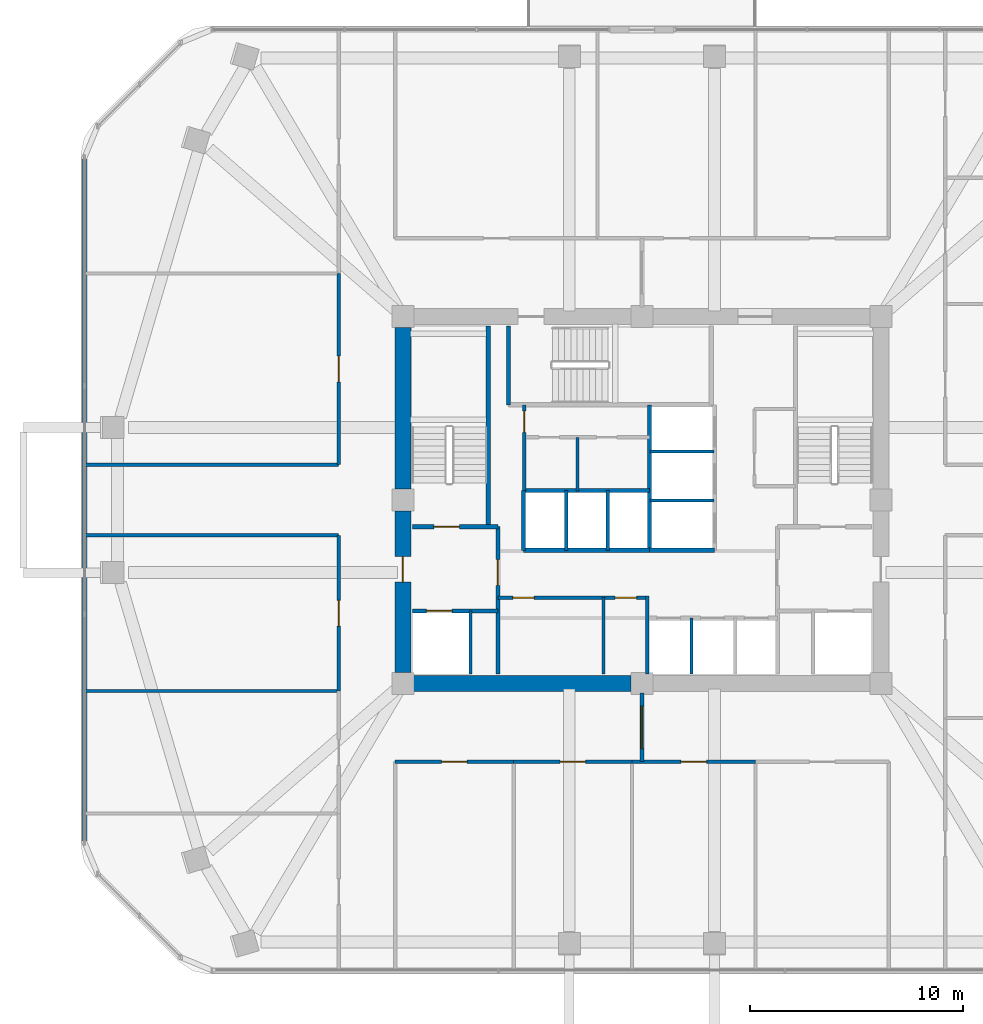
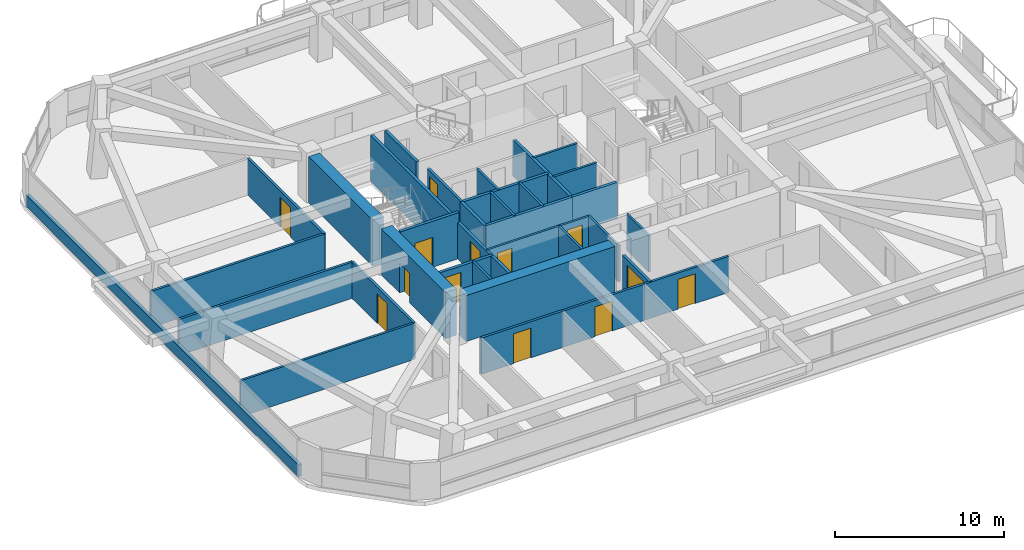
# One storey, part 9 of 14: 34 walls, 13 doors, 13 openings.
"""IFC4 building model written with IfcOpenShell, lengths in metres."""

from ifc_helpers import new_model, si_unit, derived_unit, direction, frame, frame_2d, origin, place, context, subcontext, project, spatial, rectangle, extrude, material, layer, layer_set, type_object, element, fill, save


model = new_model("IFC4")

# Units and contexts
model_context = context("Model", 3, precision=1e-05, world=origin(), true_north=direction((0.0, 1.0)))
body_context = subcontext(model_context, "Body", "Model", "MODEL_VIEW")
ifc_project = project(units=[si_unit("LENGTHUNIT", "METRE"), si_unit("AREAUNIT", "SQUARE_METRE"), si_unit("VOLUMEUNIT", "CUBIC_METRE"), si_unit("PLANEANGLEUNIT", "RADIAN"), si_unit("MASSUNIT", "GRAM", prefix="KILO"), derived_unit("THERMALTRANSMITTANCEUNIT", [(si_unit("POWERUNIT", "WATT"), 1), (si_unit("LENGTHUNIT", "METRE"), -2), (si_unit("THERMODYNAMICTEMPERATUREUNIT", "KELVIN"), -1)])], contexts=[model_context])

# Site, building, storey
site_placement = place(None, origin())
site = spatial("IfcSite", under=ifc_project, at=site_placement, CompositionType="ELEMENT")
building_placement = place(site_placement, origin())
building = spatial("IfcBuilding", under=site, at=building_placement, Name="Koralith Skygarden Medical Center", CompositionType="ELEMENT")
storey_placement = place(building_placement, frame((0.0, 0.0, 95.580078125)))
storey = spatial("IfcBuildingStorey", under=building, at=storey_placement, Name="L24", CompositionType="ELEMENT", Elevation=95.580078125)

# Wall, openings, doors
ifc_material_1 = material(Name="Gypsum Board Partition")
ifc_layer_1 = layer(ifc_material_1, 0.14990234375)
ifc_layer_set_1 = layer_set([ifc_layer_1], Name="Gypsum Board Partition")
wall_type_1 = type_object("IfcWallType", Name="Clinical Acoustic Partition 150", PredefinedType="PARTITIONING", material=ifc_layer_set_1)
wall_1_placement = place(storey_placement, frame((30.25, 21.320068359375, 0.0), z_axis=(0.0, 0.0, 1.0), x_axis=(1.0, 0.0, 0.0)))
wall_1 = element("IfcWall", 1, at=wall_1_placement, inside=storey, type_object=wall_type_1, Name="L24 Clinical Acoustic Partition 150 W-CORE-L24-FREED-LR-N", PredefinedType="PARTITIONING", context=body_context, shape_type="SweptSolid", body=[
    extrude(rectangle(XDim=7.0, YDim=0.14990234375, at=frame_2d((3.5, 0.0))), origin(), (0.0, 0.0, 1.0), 2.60986328125),
])
opening_1_placement = place(wall_1_placement, frame((0.699951171875, 0.0, 0.0)))
opening_1 = element("IfcOpeningElement", 2, at=opening_1_placement, cuts=wall_1, Name="Opening D-SUP", PredefinedType="OPENING", context=body_context, shape_type="SweptSolid", body=[
    extrude(rectangle(XDim=1.0, YDim=2.14990234375, at=frame_2d((0.5, 1.074951171875))), frame((0.0, 0.0849609375, 0.0), z_axis=(0.0, -1.0, 0.0), x_axis=(1.0, 0.0, 0.0)), (0.0, 0.0, 1.0), 0.169921875),
])
opening_2_placement = place(wall_1_placement, frame((5.5, 0.0, 0.0)))
opening_2 = element("IfcOpeningElement", 3, at=opening_2_placement, cuts=wall_1, Name="Opening D-SUP", PredefinedType="OPENING", context=body_context, shape_type="SweptSolid", body=[
    extrude(rectangle(XDim=1.0, YDim=2.14990234375, at=frame_2d((0.5, 1.074951171875))), frame((0.0, 0.0849609375, 0.0), z_axis=(0.0, -1.0, 0.0), x_axis=(1.0, 0.0, 0.0)), (0.0, 0.0, 1.0), 0.169921875),
])
ifc_material_2 = material(Name="Aluminium 6063-T6", Category="aluminium")
door_type_1 = type_object("IfcDoorType", Name="Clinical Support Door D-SUP 1000", OperationType="NOTDEFINED", PredefinedType="DOOR", material=ifc_material_2)
door_1_placement = place(opening_1_placement, frame((1.0, 0.0, 0.0), z_axis=(0.0, 0.0, 1.0), x_axis=(-1.0, 0.0, 0.0)))
door_1 = element("IfcDoor", 4, at=door_1_placement, inside=storey, type_object=door_type_1, Name="L24 Medication Preparation Door", OperationType="SINGLE_SWING_LEFT", OverallHeight=2.14990234375, OverallWidth=1.0, PredefinedType="DOOR", context=body_context, shape_type="SweptSolid", body=[
    extrude(rectangle(XDim=1.0, YDim=2.14990234375, at=frame_2d((0.5, 1.074951171875))), frame((0.0, 0.02490234375, 0.0), z_axis=(0.0, -1.0, 0.0), x_axis=(1.0, 0.0, 0.0)), (0.0, 0.0, 1.0), 0.050048828125),
])
fill(opening_1, door_1)
door_2_placement = place(opening_2_placement, frame((1.0, 0.0, 0.0), z_axis=(0.0, 0.0, 1.0), x_axis=(-1.0, 0.0, 0.0)))
door_2 = element("IfcDoor", 5, at=door_2_placement, inside=storey, type_object=door_type_1, Name="L24 Telemetry Room Door", OperationType="SINGLE_SWING_RIGHT", OverallHeight=2.14990234375, OverallWidth=1.0, PredefinedType="DOOR", context=body_context, shape_type="SweptSolid", body=[
    extrude(rectangle(XDim=1.0, YDim=2.14990234375, at=frame_2d((0.5, 1.074951171875))), frame((0.0, 0.02490234375, 0.0), z_axis=(0.0, -1.0, 0.0), x_axis=(1.0, 0.0, 0.0)), (0.0, 0.0, 1.0), 0.050048828125),
])
fill(opening_2, door_2)

# Walls
wall_2_placement = place(storey_placement, frame((35.199951171875, 17.75, 0.0), z_axis=(0.0, 0.0, 1.0), x_axis=(0.0, 1.0, 0.0)))
element("IfcWall", 6, at=wall_2_placement, inside=storey, type_object=wall_type_1, Name="L24 Clinical Acoustic Partition 150 W-CORE-L24-FREED-LR-M", PredefinedType="PARTITIONING", context=body_context, shape_type="SweptSolid", body=[
    extrude(rectangle(XDim=3.570068359375, YDim=0.14990234375, at=frame_2d((1.78515625, 0.0))), origin(), (0.0, 0.0, 1.0), 2.60986328125),
])
wall_3_placement = place(storey_placement, frame((33.97998046875, 26.320068359375, 0.0), z_axis=(0.0, 0.0, 1.0), x_axis=(0.0, 1.0, 0.0)))
element("IfcWall", 7, at=wall_3_placement, inside=storey, type_object=wall_type_1, Name="L24 Clinical Acoustic Partition 150 W-CORE-L24-FLEX-V3A", PredefinedType="PARTITIONING", context=body_context, shape_type="SweptSolid", body=[
    extrude(rectangle(XDim=2.52001953125, YDim=0.14990234375, at=frame_2d((1.260009765625, 0.0))), origin(), (0.0, 0.0, 1.0), 2.60986328125),
])
wall_4_placement = place(storey_placement, frame((22.7900390625, 16.94189453125, 0.0), z_axis=(0.0, 0.0, 1.0), x_axis=(-1.0, 0.0, 0.0)))
element("IfcWall", 8, at=wall_4_placement, inside=storey, type_object=wall_type_1, Name="L24 Clinical Acoustic Partition 150 W-PART-L24-WS-02", PredefinedType="PARTITIONING", context=body_context, shape_type="SweptSolid", body=[
    extrude(rectangle(XDim=11.885986328125, YDim=0.14990234375, at=frame_2d((5.94287109375, 0.0))), origin(), (0.0, 0.0, 1.0), 2.60986328125),
])
ifc_layer_2 = layer(ifc_material_1, 0.1650390625)
ifc_layer_set_2 = layer_set([ifc_layer_2], Name="Gypsum Board Partition")
wall_type_2 = type_object("IfcWallType", Name="Clinical Corridor Partition 165", PredefinedType="PARTITIONING", material=ifc_layer_set_2)
for number, where, z_axis, x_axis, name in (
    (9, (10.904052734375, 24.239990234375, 0.0), (0.0, 0.0, 1.0), (1.0, 0.0, 0.0), "L24 Clinical Corridor Partition 165 W-HCOR-L24-EWS-W"),
    (10, (10.904052734375, 27.56005859375, 0.0), (0.0, 0.0, 1.0), (1.0, 0.0, 0.0), "L24 Clinical Corridor Partition 165 W-HCOR-L24-EWN-W"),
):
    element("IfcWall", number, at=place(storey_placement, frame(where, z_axis=z_axis, x_axis=x_axis)), inside=storey, type_object=wall_type_2, Name=name, PredefinedType="PARTITIONING", context=body_context, shape_type="SweptSolid", body=[
        extrude(rectangle(XDim=11.885986328125, YDim=0.1650390625, at=frame_2d((5.94287109375, 0.0))), origin(), (0.0, 0.0, 1.0), 2.60986328125),
    ])

# Wall, opening, door
wall_5_placement = place(storey_placement, frame((25.429931640625, 13.639892578125, 0.0), z_axis=(0.0, 0.0, 1.0), x_axis=(1.0, 0.0, 0.0)))
wall_5 = element("IfcWall", 11, at=wall_5_placement, inside=storey, type_object=wall_type_2, Name="L24 Clinical Corridor Partition 165 W-CORR-L24-S-01", PredefinedType="PARTITIONING", context=body_context, shape_type="SweptSolid", body=[
    extrude(rectangle(XDim=5.55908203125, YDim=0.1650390625, at=frame_2d((2.779541015625, 0.0))), origin(), (0.0, 0.0, 1.0), 2.60986328125),
])
opening_3_placement = place(wall_5_placement, frame((2.179931640625, 0.0, 0.0)))
opening_3 = element("IfcOpeningElement", 12, at=opening_3_placement, cuts=wall_5, Name="Opening D-CLN", PredefinedType="OPENING", context=body_context, shape_type="SweptSolid", body=[
    extrude(rectangle(XDim=1.199951171875, YDim=2.14990234375, at=frame_2d((0.60009765625, 1.074951171875))), frame((0.0, 0.092529296875, 0.0), z_axis=(0.0, -1.0, 0.0), x_axis=(1.0, 0.0, 0.0)), (0.0, 0.0, 1.0), 0.18505859375),
])
door_type_2 = type_object("IfcDoorType", Name="Clinical Corridor Door D-CLN 1200", OperationType="NOTDEFINED", PredefinedType="DOOR", material=ifc_material_2)
door_3_placement = place(opening_3_placement, frame((1.199951171875, 0.0, 0.0), z_axis=(0.0, 0.0, 1.0), x_axis=(-1.0, 0.0, 0.0)))
door_3 = element("IfcDoor", 13, at=door_3_placement, inside=storey, type_object=door_type_2, Name="L24 Cast and Dressing Treatment Room 04 Door", OperationType="SINGLE_SWING_LEFT", OverallHeight=2.14990234375, OverallWidth=1.199951171875, PredefinedType="DOOR", context=body_context, shape_type="SweptSolid", body=[
    extrude(rectangle(XDim=1.199951171875, YDim=2.14990234375, at=frame_2d((0.60009765625, 1.074951171875))), frame((0.0, 0.02490234375, 0.0), z_axis=(0.0, -1.0, 0.0), x_axis=(1.0, 0.0, 0.0)), (0.0, 0.0, 1.0), 0.050048828125),
])
fill(opening_3, door_3)

wall_6_placement = place(storey_placement, frame((30.989013671875, 13.639892578125, 0.0), z_axis=(0.0, 0.0, 1.0), x_axis=(1.0, 0.0, 0.0)))
wall_6 = element("IfcWall", 14, at=wall_6_placement, inside=storey, type_object=wall_type_2, Name="L24 Clinical Corridor Partition 165 W-CORR-L24-S-02", PredefinedType="PARTITIONING", context=body_context, shape_type="SweptSolid", body=[
    extrude(rectangle(XDim=5.549072265625, YDim=0.1650390625, at=frame_2d((2.7744140625, 0.0))), origin(), (0.0, 0.0, 1.0), 2.60986328125),
])
opening_4_placement = place(wall_6_placement, frame((2.174072265625, 0.0, 0.0)))
opening_4 = element("IfcOpeningElement", 15, at=opening_4_placement, cuts=wall_6, Name="Opening D-CLN", PredefinedType="OPENING", context=body_context, shape_type="SweptSolid", body=[
    extrude(rectangle(XDim=1.199951171875, YDim=2.14990234375, at=frame_2d((0.60009765625, 1.074951171875))), frame((0.0, 0.092529296875, 0.0), z_axis=(0.0, -1.0, 0.0), x_axis=(1.0, 0.0, 0.0)), (0.0, 0.0, 1.0), 0.18505859375),
])
door_4_placement = place(opening_4_placement, frame((1.199951171875, 0.0, 0.0), z_axis=(0.0, 0.0, 1.0), x_axis=(-1.0, 0.0, 0.0)))
door_4 = element("IfcDoor", 16, at=door_4_placement, inside=storey, type_object=door_type_2, Name="L24 Surgical Follow-Up Office 05 Door", OperationType="SINGLE_SWING_RIGHT", OverallHeight=2.14990234375, OverallWidth=1.199951171875, PredefinedType="DOOR", context=body_context, shape_type="SweptSolid", body=[
    extrude(rectangle(XDim=1.199951171875, YDim=2.14990234375, at=frame_2d((0.60009765625, 1.074951171875))), frame((0.0, 0.02490234375, 0.0), z_axis=(0.0, -1.0, 0.0), x_axis=(1.0, 0.0, 0.0)), (0.0, 0.0, 1.0), 0.050048828125),
])
fill(opening_4, door_4)

wall_7_placement = place(storey_placement, frame((36.5380859375, 13.639892578125, 0.0), z_axis=(0.0, 0.0, 1.0), x_axis=(1.0, 0.0, 0.0)))
wall_7 = element("IfcWall", 17, at=wall_7_placement, inside=storey, type_object=wall_type_2, Name="L24 Clinical Corridor Partition 165 W-CORR-L24-S-03", PredefinedType="PARTITIONING", context=body_context, shape_type="SweptSolid", body=[
    extrude(rectangle(XDim=5.780029296875, YDim=0.1650390625, at=frame_2d((2.89013671875, 0.0))), origin(), (0.0, 0.0, 1.0), 2.60986328125),
])
opening_5_placement = place(wall_7_placement, frame((2.2900390625, 0.0, 0.0)))
opening_5 = element("IfcOpeningElement", 18, at=opening_5_placement, cuts=wall_7, Name="Opening D-CLN", PredefinedType="OPENING", context=body_context, shape_type="SweptSolid", body=[
    extrude(rectangle(XDim=1.199951171875, YDim=2.14990234375, at=frame_2d((0.60009765625, 1.074951171875))), frame((0.0, 0.092529296875, 0.0), z_axis=(0.0, -1.0, 0.0), x_axis=(1.0, 0.0, 0.0)), (0.0, 0.0, 1.0), 0.18505859375),
])
door_5_placement = place(opening_5_placement, frame((1.199951171875, 0.0, 0.0), z_axis=(0.0, 0.0, 1.0), x_axis=(-1.0, 0.0, 0.0)))
door_5 = element("IfcDoor", 19, at=door_5_placement, inside=storey, type_object=door_type_2, Name="L24 Sterile Instrument Sub-Store 06 Door", OperationType="SINGLE_SWING_LEFT", OverallHeight=2.14990234375, OverallWidth=1.199951171875, PredefinedType="DOOR", context=body_context, shape_type="SweptSolid", body=[
    extrude(rectangle(XDim=1.199951171875, YDim=2.14990234375, at=frame_2d((0.60009765625, 1.074951171875))), frame((0.0, 0.02490234375, 0.0), z_axis=(0.0, -1.0, 0.0), x_axis=(1.0, 0.0, 0.0)), (0.0, 0.0, 1.0), 0.050048828125),
])
fill(opening_5, door_5)

wall_8_placement = place(storey_placement, frame((22.7900390625, 16.94189453125, 0.0), z_axis=(0.0, 0.0, 1.0), x_axis=(0.0, 1.0, 0.0)))
wall_8 = element("IfcWall", 20, at=wall_8_placement, inside=storey, type_object=wall_type_2, Name="L24 Clinical Corridor Partition 165 W-CORR-L24-WS-03", PredefinedType="PARTITIONING", context=body_context, shape_type="SweptSolid", body=[
    extrude(rectangle(XDim=7.298095703125, YDim=0.1650390625, at=frame_2d((3.64892578125, 0.0))), origin(), (0.0, 0.0, 1.0), 2.60986328125),
])
opening_6_placement = place(wall_8_placement, frame((3.049072265625, 0.0, 0.0)))
opening_6 = element("IfcOpeningElement", 21, at=opening_6_placement, cuts=wall_8, Name="Opening D-CLN", PredefinedType="OPENING", context=body_context, shape_type="SweptSolid", body=[
    extrude(rectangle(XDim=1.199951171875, YDim=2.14990234375, at=frame_2d((0.60009765625, 1.074951171875))), frame((0.0, 0.092529296875, 0.0), z_axis=(0.0, -1.0, 0.0), x_axis=(1.0, 0.0, 0.0)), (0.0, 0.0, 1.0), 0.18505859375),
])
door_6_placement = place(opening_6_placement, frame((1.199951171875, 0.0, 0.0), z_axis=(0.0, 0.0, 1.0), x_axis=(-1.0, 0.0, 0.0)))
door_6 = element("IfcDoor", 22, at=door_6_placement, inside=storey, type_object=door_type_2, Name="L24 Sterile Instrument Sub-Store 10 Door", OperationType="SINGLE_SWING_LEFT", OverallHeight=2.14990234375, OverallWidth=1.199951171875, PredefinedType="DOOR", context=body_context, shape_type="SweptSolid", body=[
    extrude(rectangle(XDim=1.199951171875, YDim=2.14990234375, at=frame_2d((0.60009765625, 1.074951171875))), frame((0.0, 0.02490234375, 0.0), z_axis=(0.0, -1.0, 0.0), x_axis=(1.0, 0.0, 0.0)), (0.0, 0.0, 1.0), 0.050048828125),
])
fill(opening_6, door_6)

wall_9_placement = place(storey_placement, frame((22.7900390625, 27.56005859375, 0.0), z_axis=(0.0, 0.0, 1.0), x_axis=(0.0, 1.0, 0.0)))
wall_9 = element("IfcWall", 23, at=wall_9_placement, inside=storey, type_object=wall_type_2, Name="L24 Clinical Corridor Partition 165 W-CORR-L24-WN-01", PredefinedType="PARTITIONING", context=body_context, shape_type="SweptSolid", body=[
    extrude(rectangle(XDim=8.9599609375, YDim=0.1650390625, at=frame_2d((4.47998046875, 0.0))), origin(), (0.0, 0.0, 1.0), 2.60986328125),
])
opening_7_placement = place(wall_9_placement, frame((3.8798828125, 0.0, 0.0)))
opening_7 = element("IfcOpeningElement", 24, at=opening_7_placement, cuts=wall_9, Name="Opening D-CLN", PredefinedType="OPENING", context=body_context, shape_type="SweptSolid", body=[
    extrude(rectangle(XDim=1.199951171875, YDim=2.14990234375, at=frame_2d((0.60009765625, 1.074951171875))), frame((0.0, 0.092529296875, 0.0), z_axis=(0.0, -1.0, 0.0), x_axis=(1.0, 0.0, 0.0)), (0.0, 0.0, 1.0), 0.18505859375),
])
door_7_placement = place(opening_7_placement, frame((1.199951171875, 0.0, 0.0), z_axis=(0.0, 0.0, 1.0), x_axis=(-1.0, 0.0, 0.0)))
door_7 = element("IfcDoor", 25, at=door_7_placement, inside=storey, type_object=door_type_2, Name="L24 Orthopaedic Splint Supply Store 11 Door", OperationType="SINGLE_SWING_RIGHT", OverallHeight=2.14990234375, OverallWidth=1.199951171875, PredefinedType="DOOR", context=body_context, shape_type="SweptSolid", body=[
    extrude(rectangle(XDim=1.199951171875, YDim=2.14990234375, at=frame_2d((0.60009765625, 1.074951171875))), frame((0.0, 0.02490234375, 0.0), z_axis=(0.0, -1.0, 0.0), x_axis=(1.0, 0.0, 0.0)), (0.0, 0.0, 1.0), 0.050048828125),
])
fill(opening_7, door_7)

ifc_layer_3 = layer(ifc_material_1, 0.199951171875)
ifc_layer_set_3 = layer_set([ifc_layer_3], Name="Gypsum Board Partition")
wall_type_3 = type_object("IfcWallType", Name="Fire Shaft Wall 200", PredefinedType="SOLIDWALL", material=ifc_layer_set_3)
wall_10_placement = place(storey_placement, frame((26.25, 20.699951171875, 0.0), z_axis=(0.0, 0.0, 1.0), x_axis=(1.0, 0.0, 0.0)))
wall_10 = element("IfcWall", 26, at=wall_10_placement, inside=storey, type_object=wall_type_3, Name="L24 Fire Shaft Wall 200 W-CORE-L24-FF1-N", PredefinedType="SOLIDWALL", context=body_context, shape_type="SweptSolid", body=[
    extrude(rectangle(XDim=4.0, YDim=0.199951171875, at=frame_2d((2.0, 0.0))), origin(), (0.0, 0.0, 1.0), 2.60986328125),
])
opening_8_placement = place(wall_10_placement, frame((0.64990234375, 0.0, 0.0)))
opening_8 = element("IfcOpeningElement", 27, at=opening_8_placement, cuts=wall_10, Name="Opening LD-FF", PredefinedType="OPENING", context=body_context, shape_type="SweptSolid", body=[
    extrude(rectangle(XDim=1.199951171875, YDim=2.14990234375, at=frame_2d((0.60009765625, 1.074951171875))), frame((0.0, 0.10986328125, 0.0), z_axis=(0.0, -1.0, 0.0), x_axis=(1.0, 0.0, 0.0)), (0.0, 0.0, 1.0), 0.219970703125),
])
ifc_material_3 = material(Name="Steel ASTM A500 Grade C", Category="steel")
door_type_3 = type_object("IfcDoorType", Name="Fire Lift Sliding Landing Door LD-FF 1200", OperationType="NOTDEFINED", PredefinedType="DOOR", material=ifc_material_3)
door_8_placement = place(opening_8_placement, origin())
door_8 = element("IfcDoor", 28, at=door_8_placement, inside=storey, type_object=door_type_3, Name="L24 Fire Service Elevator FF1 Landing Door", OperationType="SLIDING_TO_LEFT", OverallHeight=2.14990234375, OverallWidth=1.199951171875, PredefinedType="DOOR", context=body_context, shape_type="SweptSolid", body=[
    extrude(rectangle(XDim=1.199951171875, YDim=2.14990234375, at=frame_2d((0.60009765625, 1.074951171875))), frame((0.0, 0.02490234375, 0.0), z_axis=(0.0, -1.0, 0.0), x_axis=(1.0, 0.0, 0.0)), (0.0, 0.0, 1.0), 0.050048828125),
])
fill(opening_8, door_8)

wall_11_placement = place(storey_placement, frame((30.25, 17.75, 0.0), z_axis=(0.0, 0.0, 1.0), x_axis=(0.0, 1.0, 0.0)))
wall_11 = element("IfcWall", 29, at=wall_11_placement, inside=storey, type_object=wall_type_3, Name="L24 Fire Shaft Wall 200 W-CORE-L24-FSAEW-E", PredefinedType="SOLIDWALL", context=body_context, shape_type="SweptSolid", body=[
    extrude(rectangle(XDim=6.89990234375, YDim=0.199951171875, at=frame_2d((3.449951171875, 0.0))), origin(), (0.0, 0.0, 1.0), 2.60986328125),
])
opening_9_placement = place(wall_11_placement, frame((4.14990234375, 0.0, 0.0)))
opening_9 = element("IfcOpeningElement", 30, at=opening_9_placement, cuts=wall_11, Name="Opening D-ST60", PredefinedType="OPENING", context=body_context, shape_type="SweptSolid", body=[
    extrude(rectangle(XDim=1.199951171875, YDim=2.14990234375, at=frame_2d((0.60009765625, 1.074951171875))), frame((0.0, 0.10986328125, 0.0), z_axis=(0.0, -1.0, 0.0), x_axis=(1.0, 0.0, 0.0)), (0.0, 0.0, 1.0), 0.219970703125),
])
door_type_4 = type_object("IfcDoorType", Name="Smokeproof Stair Fire Door FD60S 1200", OperationType="NOTDEFINED", PredefinedType="DOOR", material=ifc_material_3)
door_9_placement = place(opening_9_placement, origin())
door_9 = element("IfcDoor", 31, at=door_9_placement, inside=storey, type_object=door_type_4, Name="L24 West Firefighting Lobby Inner Fire Door", OperationType="SINGLE_SWING_LEFT", OverallHeight=2.14990234375, OverallWidth=1.199951171875, PredefinedType="DOOR", context=body_context, shape_type="SweptSolid", body=[
    extrude(rectangle(XDim=1.199951171875, YDim=2.14990234375, at=frame_2d((0.60009765625, 1.074951171875))), frame((0.0, 0.02490234375, 0.0), z_axis=(0.0, -1.0, 0.0), x_axis=(1.0, 0.0, 0.0)), (0.0, 0.0, 1.0), 0.050048828125),
])
fill(opening_9, door_9)

# Walls
for number, where, z_axis, x_axis, name in (
    (32, (31.449951171875, 23.5400390625, 0.0), (0.0, 0.0, 1.0), (1.0, 0.0, 0.0), "L24 Fire Shaft Wall 200 W-CORE-L24-PH-S"),
    (33, (31.449951171875, 26.35009765625, 0.0), (0.0, 0.0, 1.0), (1.0, 0.0, 0.0), "L24 Fire Shaft Wall 200 W-CORE-L24-PH-N"),
):
    element("IfcWall", number, at=place(storey_placement, frame(where, z_axis=z_axis, x_axis=x_axis)), inside=storey, type_object=wall_type_3, Name=name, PredefinedType="SOLIDWALL", context=body_context, shape_type="SweptSolid", body=[
        extrude(rectangle(XDim=5.900146484375, YDim=0.199951171875, at=frame_2d((2.9501953125, 0.0))), origin(), (0.0, 0.0, 1.0), 2.60986328125),
    ])
wall_12_placement = place(storey_placement, frame((31.449951171875, 23.5400390625, 0.0), z_axis=(0.0, 0.0, 1.0), x_axis=(0.0, 1.0, 0.0)))
element("IfcWall", 34, at=wall_12_placement, inside=storey, type_object=wall_type_3, Name="L24 Fire Shaft Wall 200 W-CORE-L24-PH-W", PredefinedType="SOLIDWALL", context=body_context, shape_type="SweptSolid", body=[
    extrude(rectangle(XDim=2.81005859375, YDim=0.199951171875, at=frame_2d((1.405029296875, 0.0))), origin(), (0.0, 0.0, 1.0), 2.60986328125),
])
wall_13_placement = place(storey_placement, frame((37.35009765625, 23.5400390625, 0.0), z_axis=(0.0, 0.0, 1.0), x_axis=(0.0, 1.0, 0.0)))
element("IfcWall", 35, at=wall_13_placement, inside=storey, type_object=wall_type_3, Name="L24 Fire Shaft Wall 200 W-CORE-L24-SV-W", PredefinedType="SOLIDWALL", context=body_context, shape_type="SweptSolid", body=[
    extrude(rectangle(XDim=6.820068359375, YDim=0.199951171875, at=frame_2d((3.41015625, 0.0))), origin(), (0.0, 0.0, 1.0), 2.60986328125),
])
wall_14_placement = place(storey_placement, frame((37.35009765625, 23.5400390625, 0.0), z_axis=(0.0, 0.0, 1.0), x_axis=(1.0, 0.0, 0.0)))
element("IfcWall", 36, at=wall_14_placement, inside=storey, type_object=wall_type_3, Name="L24 Fire Shaft Wall 200 W-CORE-L24-SV-S", PredefinedType="SOLIDWALL", context=body_context, shape_type="SweptSolid", body=[
    extrude(rectangle(XDim=3.0498046875, YDim=0.199951171875, at=frame_2d((1.52490234375, 0.0))), origin(), (0.0, 0.0, 1.0), 2.60986328125),
])

# Wall, opening, door
ifc_layer_4 = layer(ifc_material_1, 0.179931640625)
ifc_layer_set_4 = layer_set([ifc_layer_4], Name="Gypsum Board Partition")
wall_type_4 = type_object("IfcWallType", Name="Group I-2 Smoke Barrier Wall 180", PredefinedType="PARTITIONING", material=ifc_layer_set_4)
wall_15_placement = place(storey_placement, frame((37.0, 13.639892578125, 0.0), z_axis=(0.0, 0.0, 1.0), x_axis=(0.0, 1.0, 0.0)))
wall_15 = element("IfcWall", 37, at=wall_15_placement, inside=storey, type_object=wall_type_4, Name="L24 Group I-2 Smoke Barrier Wall 180 W-SMK-L24-S", PredefinedType="PARTITIONING", context=body_context, shape_type="SweptSolid", body=[
    extrude(rectangle(XDim=3.210205078125, YDim=0.179931640625, at=frame_2d((1.60498046875, 0.0))), origin(), (0.0, 0.0, 1.0), 2.60986328125),
])
opening_10_placement = place(wall_15_placement, frame((0.60498046875, 0.0, 0.0)))
opening_10 = element("IfcOpeningElement", 38, at=opening_10_placement, cuts=wall_15, Name="Opening D-SMK", PredefinedType="OPENING", context=body_context, shape_type="SweptSolid", body=[
    extrude(rectangle(XDim=2.0, YDim=2.199951171875, at=frame_2d((1.0, 1.10009765625))), frame((0.0, 0.099853515625, 0.0), z_axis=(0.0, -1.0, 0.0), x_axis=(1.0, 0.0, 0.0)), (0.0, 0.0, 1.0), 0.199951171875),
])
door_type_5 = type_object("IfcDoorType", Name="Cross-Corridor Double Smoke Door FD60S 2000", OperationType="NOTDEFINED", PredefinedType="DOOR", material=ifc_material_3)
door_10_placement = place(opening_10_placement, frame((2.0, 0.0, 0.0), z_axis=(0.0, 0.0, 1.0), x_axis=(-1.0, 0.0, 0.0)))
door_10 = element("IfcDoor", 39, at=door_10_placement, inside=storey, type_object=door_type_5, Name="L24 S Smoke Compartment Cross-Corridor Door", OperationType="DOUBLE_DOOR_SINGLE_SWING", OverallHeight=2.199951171875, OverallWidth=2.0, PredefinedType="DOOR", context=body_context, shape_type="SweptSolid", body=[
    extrude(rectangle(XDim=2.0, YDim=2.199951171875, at=frame_2d((1.0, 1.10009765625))), frame((0.0, 0.02490234375, 0.0), z_axis=(0.0, -1.0, 0.0), x_axis=(1.0, 0.0, 0.0)), (0.0, 0.0, 1.0), 0.050048828125),
])
fill(opening_10, door_10)

# Walls
ifc_material_4 = material(Name="Warm Oolitic Limestone Cladding", Category="masonry")
ifc_layer_5 = layer(ifc_material_4, 0.239990234375)
ifc_layer_set_5 = layer_set([ifc_layer_5], Name="Warm Oolitic Limestone Cladding")
wall_type_5 = type_object("IfcWallType", Name="Limestone Spandrel Sill Backup Wall 240", PredefinedType="SOLIDWALL", material=ifc_layer_set_5)
wall_16_placement = place(storey_placement, frame((10.884033203125, 41.968017578125, 0.0), z_axis=(0.0, 0.0, 1.0), x_axis=(0.0, -1.0, 0.0)))
element("IfcWall", 40, at=wall_16_placement, inside=storey, type_object=wall_type_5, Name="L24 Sill Spandrel W", PredefinedType="SOLIDWALL", context=body_context, shape_type="SweptSolid", body=[
    extrude(rectangle(XDim=32.135986328125, YDim=0.239990234375, at=frame_2d((16.06787109375, 0.0))), origin(), (0.0, 0.0, 1.0), 0.849853515625),
])
ifc_material_5 = material(Name="Concrete C70/85", Category="concrete")
ifc_layer_6 = layer(ifc_material_5, 0.75)
ifc_layer_set_6 = layer_set([ifc_layer_6], Name="Concrete C70/85")
wall_type_6 = type_object("IfcWallType", Name="Mid Core Shear Wall 750", PredefinedType="SHEAR", material=ifc_layer_set_6)
wall_17_placement = place(storey_placement, frame((26.304931640625, 17.300048828125, 0.0), z_axis=(0.0, 0.0, 1.0), x_axis=(1.0, 0.0, 0.0)))
element("IfcWall", 41, at=wall_17_placement, inside=storey, type_object=wall_type_6, Name="L24 Core Shear Wall Segment 1", PredefinedType="SHEAR", context=body_context, shape_type="SweptSolid", body=[
    extrude(rectangle(XDim=10.190185546875, YDim=0.75, at=frame_2d((5.09521484375, 0.0))), origin(), (0.0, 0.0, 1.0), 3.31982421875),
])
wall_18_placement = place(storey_placement, frame((25.800048828125, 33.9951171875, 0.0), z_axis=(0.0, 0.0, 1.0), x_axis=(0.0, -1.0, 0.0)))
element("IfcWall", 42, at=wall_18_placement, inside=storey, type_object=wall_type_6, Name="L24 Core Shear Wall Segment 7", PredefinedType="SHEAR", context=body_context, shape_type="SweptSolid", body=[
    extrude(rectangle(XDim=7.590087890625, YDim=0.75, at=frame_2d((3.794921875, 0.0))), origin(), (0.0, 0.0, 1.0), 3.31982421875),
])

# Wall, opening, door
wall_19_placement = place(storey_placement, frame((25.800048828125, 25.39501953125, 0.0), z_axis=(0.0, 0.0, 1.0), x_axis=(0.0, -1.0, 0.0)))
wall_19 = element("IfcWall", 43, at=wall_19_placement, inside=storey, type_object=wall_type_6, Name="L24 Core Shear Wall Segment 8", PredefinedType="SHEAR", context=body_context, shape_type="SweptSolid", body=[
    extrude(rectangle(XDim=7.590087890625, YDim=0.75, at=frame_2d((3.794921875, 0.0))), origin(), (0.0, 0.0, 1.0), 3.31982421875),
])
opening_11_placement = place(wall_19_placement, frame((2.14501953125, 0.0, 0.0)))
opening_11 = element("IfcOpeningElement", 44, at=opening_11_placement, cuts=wall_19, Name="Opening D-ST60", PredefinedType="OPENING", context=body_context, shape_type="SweptSolid", body=[
    extrude(rectangle(XDim=1.199951171875, YDim=2.14990234375, at=frame_2d((0.60009765625, 1.074951171875))), frame((0.0, 0.385009765625, 0.0), z_axis=(0.0, -1.0, 0.0), x_axis=(1.0, 0.0, 0.0)), (0.0, 0.0, 1.0), 0.77001953125),
])
door_11_placement = place(opening_11_placement, frame((1.199951171875, 0.0, 0.0), z_axis=(0.0, 0.0, 1.0), x_axis=(-1.0, 0.0, 0.0)))
door_11 = element("IfcDoor", 45, at=door_11_placement, inside=storey, type_object=door_type_4, Name="L24 West Corridor to Firefighting Lobby Door", OperationType="SINGLE_SWING_LEFT", OverallHeight=2.14990234375, OverallWidth=1.199951171875, PredefinedType="DOOR", context=body_context, shape_type="SweptSolid", body=[
    extrude(rectangle(XDim=1.199951171875, YDim=2.14990234375, at=frame_2d((0.60009765625, 1.074951171875))), frame((0.0, 0.02490234375, 0.0), z_axis=(0.0, -1.0, 0.0), x_axis=(1.0, 0.0, 0.0)), (0.0, 0.0, 1.0), 0.050048828125),
])
fill(opening_11, door_11)

ifc_layer_7 = layer(ifc_material_1, 0.1650390625)
ifc_layer_set_7 = layer_set([ifc_layer_7], Name="Gypsum Board Partition")
wall_type_7 = type_object("IfcWallType", Name="Plumbing Wet Wall 165", PredefinedType="PLUMBINGWALL", material=ifc_layer_set_7)
wall_20_placement = place(storey_placement, frame((31.47998046875, 26.320068359375, 0.0), z_axis=(0.0, 0.0, 1.0), x_axis=(0.0, 1.0, 0.0)))
wall_20 = element("IfcWall", 46, at=wall_20_placement, inside=storey, type_object=wall_type_7, Name="L24 Plumbing Wet Wall 165 W-CORE-L24-FLEX-W", PredefinedType="PLUMBINGWALL", context=body_context, shape_type="SweptSolid", body=[
    extrude(rectangle(XDim=4.0400390625, YDim=0.1650390625, at=frame_2d((2.02001953125, 0.0))), origin(), (0.0, 0.0, 1.0), 2.60986328125),
])
opening_12_placement = place(wall_20_placement, frame((2.75, 0.0, 0.0)))
opening_12 = element("IfcOpeningElement", 47, at=opening_12_placement, cuts=wall_20, Name="Opening D-SUP", PredefinedType="OPENING", context=body_context, shape_type="SweptSolid", body=[
    extrude(rectangle(XDim=1.0, YDim=2.14990234375, at=frame_2d((0.5, 1.074951171875))), frame((0.0, 0.092529296875, 0.0), z_axis=(0.0, -1.0, 0.0), x_axis=(1.0, 0.0, 0.0)), (0.0, 0.0, 1.0), 0.18505859375),
])
door_12_placement = place(opening_12_placement, frame((1.0, 0.0, 0.0), z_axis=(0.0, 0.0, 1.0), x_axis=(-1.0, 0.0, 0.0)))
door_12 = element("IfcDoor", 48, at=door_12_placement, inside=storey, type_object=door_type_1, Name="L24 Core Utility Alcove Door", OperationType="SINGLE_SWING_RIGHT", OverallHeight=2.14990234375, OverallWidth=1.0, PredefinedType="DOOR", context=body_context, shape_type="SweptSolid", body=[
    extrude(rectangle(XDim=1.0, YDim=2.14990234375, at=frame_2d((0.5, 1.074951171875))), frame((0.0, 0.02490234375, 0.0), z_axis=(0.0, -1.0, 0.0), x_axis=(1.0, 0.0, 0.0)), (0.0, 0.0, 1.0), 0.050048828125),
])
fill(opening_12, door_12)

# Walls
ifc_layer_8 = layer(ifc_material_1, 0.14990234375)
ifc_layer_set_8 = layer_set([ifc_layer_8], Name="Gypsum Board Partition")
wall_type_8 = type_object("IfcWallType", Name="Shaft Partition Wall 150", PredefinedType="PARTITIONING", material=ifc_layer_set_8)
wall_21_placement = place(storey_placement, frame((28.969970703125, 17.75, 0.0), z_axis=(0.0, 0.0, 1.0), x_axis=(0.0, 1.0, 0.0)))
element("IfcWall", 49, at=wall_21_placement, inside=storey, type_object=wall_type_8, Name="L24 Shaft Partition Wall 150 W-CORE-L24-RSRW-DIV", PredefinedType="PARTITIONING", context=body_context, shape_type="SweptSolid", body=[
    extrude(rectangle(XDim=2.949951171875, YDim=0.14990234375, at=frame_2d((1.47509765625, 0.0))), origin(), (0.0, 0.0, 1.0), 2.60986328125),
])
wall_22_placement = place(storey_placement, frame((39.320068359375, 17.75, 0.0), z_axis=(0.0, 0.0, 1.0), x_axis=(0.0, 1.0, 0.0)))
element("IfcWall", 50, at=wall_22_placement, inside=storey, type_object=wall_type_8, Name="L24 Shaft Partition Wall 150 W-CORE-L24-PM-D1", PredefinedType="PARTITIONING", context=body_context, shape_type="SweptSolid", body=[
    extrude(rectangle(XDim=2.610107421875, YDim=0.14990234375, at=frame_2d((1.30517578125, 0.0))), origin(), (0.0, 0.0, 1.0), 2.60986328125),
])
wall_23_placement = place(storey_placement, frame((37.25, 17.75, 0.0), z_axis=(0.0, 0.0, 1.0), x_axis=(0.0, 1.0, 0.0)))
element("IfcWall", 51, at=wall_23_placement, inside=storey, type_object=wall_type_8, Name="L24 Shaft Partition Wall 150 W-CORE-L24-PL-PM-SEP", PredefinedType="PARTITIONING", context=body_context, shape_type="SweptSolid", body=[
    extrude(rectangle(XDim=3.64990234375, YDim=0.14990234375, at=frame_2d((1.824951171875, 0.0))), origin(), (0.0, 0.0, 1.0), 2.60986328125),
])
for number, where, z_axis, x_axis, name in (
    (52, (33.449951171875, 23.5400390625, 0.0), (0.0, 0.0, 1.0), (0.0, 1.0, 0.0), "L24 Shaft Partition Wall 150 W-CORE-L24-PH-D1"),
    (53, (35.39990234375, 23.5400390625, 0.0), (0.0, 0.0, 1.0), (0.0, 1.0, 0.0), "L24 Shaft Partition Wall 150 W-CORE-L24-PH-D2"),
):
    element("IfcWall", number, at=place(storey_placement, frame(where, z_axis=z_axis, x_axis=x_axis)), inside=storey, type_object=wall_type_8, Name=name, PredefinedType="PARTITIONING", context=body_context, shape_type="SweptSolid", body=[
        extrude(rectangle(XDim=2.81005859375, YDim=0.14990234375, at=frame_2d((1.405029296875, 0.0))), origin(), (0.0, 0.0, 1.0), 2.60986328125),
    ])
for number, where, z_axis, x_axis, name in (
    (54, (37.3701171875, 25.8701171875, 0.0), (0.0, 0.0, 1.0), (1.0, 0.0, 0.0), "L24 Shaft Partition Wall 150 W-CORE-L24-SV-D1"),
    (55, (37.3701171875, 28.169921875, 0.0), (0.0, 0.0, 1.0), (1.0, 0.0, 0.0), "L24 Shaft Partition Wall 150 W-CORE-L24-SV-D2"),
):
    element("IfcWall", number, at=place(storey_placement, frame(where, z_axis=z_axis, x_axis=x_axis)), inside=storey, type_object=wall_type_8, Name=name, PredefinedType="PARTITIONING", context=body_context, shape_type="SweptSolid", body=[
        extrude(rectangle(XDim=3.009765625, YDim=0.14990234375, at=frame_2d((1.5048828125, 0.0))), origin(), (0.0, 0.0, 1.0), 2.60986328125),
    ])
ifc_material_6 = material(Name="Concrete C45/55", Category="concrete")
ifc_layer_9 = layer(ifc_material_6, 0.199951171875)
ifc_layer_set_9 = layer_set([ifc_layer_9], Name="Concrete C45/55")
wall_type_9 = type_object("IfcWallType", Name="Structural Stair Shaft Wall 200", PredefinedType="SHEAR", material=ifc_layer_set_9)
wall_24_placement = place(storey_placement, frame((29.800048828125, 24.64990234375, 0.0), z_axis=(0.0, 0.0, 1.0), x_axis=(0.0, 1.0, 0.0)))
element("IfcWall", 56, at=wall_24_placement, inside=storey, type_object=wall_type_9, Name="L24 Structural Stair Shaft Wall 200 W-CORE-L24-ST1-E", PredefinedType="SHEAR", context=body_context, shape_type="SweptSolid", body=[
    extrude(rectangle(XDim=9.400146484375, YDim=0.199951171875, at=frame_2d((4.7001953125, 0.0))), origin(), (0.0, 0.0, 1.0), 3.31982421875),
])

# Wall, opening, door
wall_25_placement = place(storey_placement, frame((26.25, 24.64990234375, 0.0), z_axis=(0.0, 0.0, 1.0), x_axis=(1.0, 0.0, 0.0)))
wall_25 = element("IfcWall", 57, at=wall_25_placement, inside=storey, type_object=wall_type_9, Name="L24 Structural Stair Shaft Wall 200 W-CORE-L24-ST1-S", PredefinedType="SHEAR", context=body_context, shape_type="SweptSolid", body=[
    extrude(rectangle(XDim=4.0, YDim=0.199951171875, at=frame_2d((2.0, 0.0))), origin(), (0.0, 0.0, 1.0), 3.31982421875),
])
opening_13_placement = place(wall_25_placement, frame((1.0, 0.0, 0.0)))
opening_13 = element("IfcOpeningElement", 58, at=opening_13_placement, cuts=wall_25, Name="Opening D-ST60", PredefinedType="OPENING", context=body_context, shape_type="SweptSolid", body=[
    extrude(rectangle(XDim=1.199951171875, YDim=2.14990234375, at=frame_2d((0.60009765625, 1.074951171875))), frame((0.0, 0.10986328125, 0.0), z_axis=(0.0, -1.0, 0.0), x_axis=(1.0, 0.0, 0.0)), (0.0, 0.0, 1.0), 0.219970703125),
])
door_13_placement = place(opening_13_placement, origin())
door_13 = element("IfcDoor", 59, at=door_13_placement, inside=storey, type_object=door_type_4, Name="L24 Exit Stair ST1 Fire Door", OperationType="SINGLE_SWING_LEFT", OverallHeight=2.14990234375, OverallWidth=1.199951171875, PredefinedType="DOOR", context=body_context, shape_type="SweptSolid", body=[
    extrude(rectangle(XDim=1.199951171875, YDim=2.14990234375, at=frame_2d((0.60009765625, 1.074951171875))), frame((0.0, 0.02490234375, 0.0), z_axis=(0.0, -1.0, 0.0), x_axis=(1.0, 0.0, 0.0)), (0.0, 0.0, 1.0), 0.050048828125),
])
fill(opening_13, door_13)

# Wall
wall_26_placement = place(storey_placement, frame((30.75, 30.360107421875, 0.0), z_axis=(0.0, 0.0, 1.0), x_axis=(0.0, 1.0, 0.0)))
element("IfcWall", 60, at=wall_26_placement, inside=storey, type_object=wall_type_9, Name="L24 Structural Stair Shaft Wall 200 W-CORE-L24-ST3-W", PredefinedType="SHEAR", context=body_context, shape_type="SweptSolid", body=[
    extrude(rectangle(XDim=3.68994140625, YDim=0.199951171875, at=frame_2d((1.844970703125, 0.0))), origin(), (0.0, 0.0, 1.0), 3.31982421875),
])

save(model, "model.ifc")
